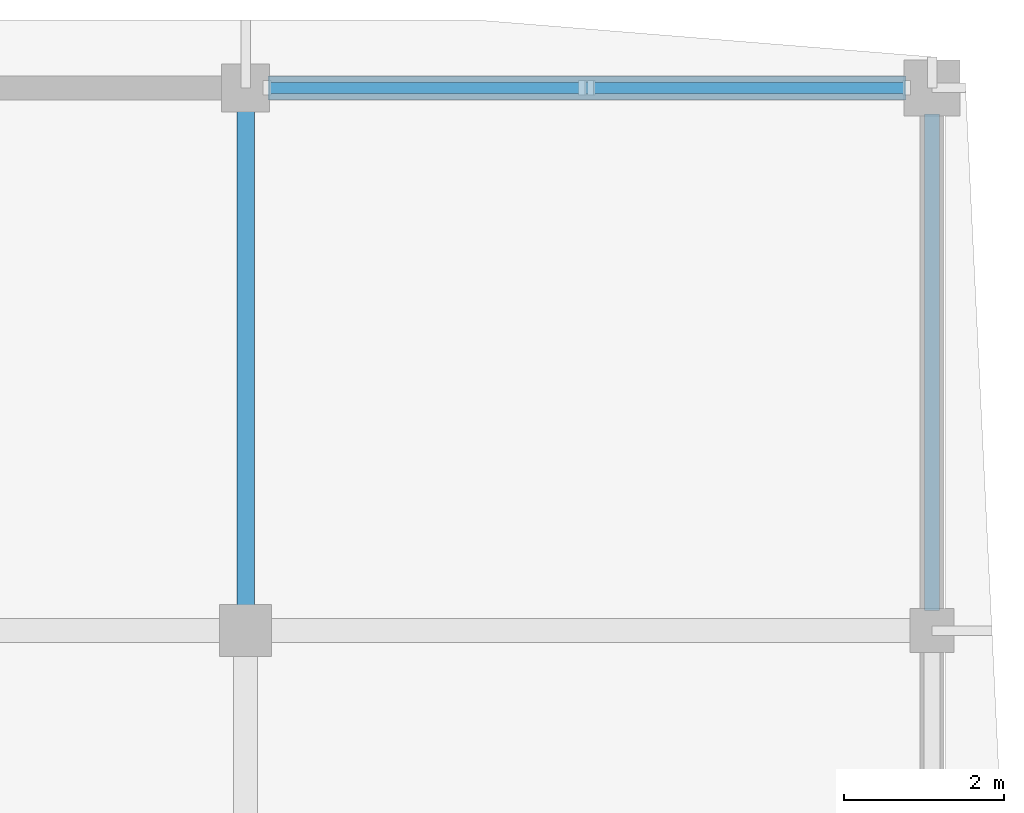
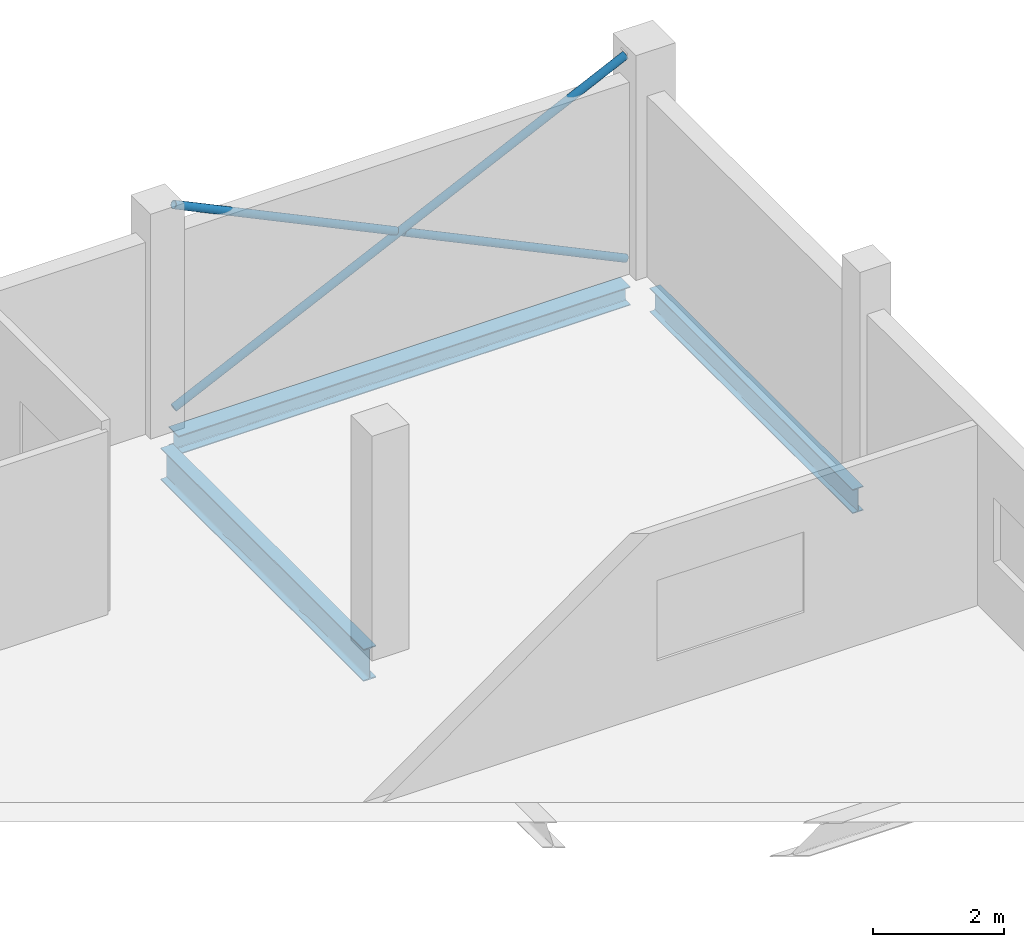
# One storey, part 72 of 121: 3 beams, 3 members.
"""IFC4 building model written with IfcOpenShell, lengths in metres."""

import ifcopenshell
import ifcopenshell.guid

model = None  # the IFC model being written
_history = None  # IfcOwnerHistory: only IFC2X3 demands one
_inside = {}  # id of a spatial element -> (the spatial element, [elements in it])
_under = {}  # id of a project, library or spatial element -> (it, [spatial elements below it])
_declared = {}  # id of a project -> (the project, [libraries it declares])
_typed = {}  # id of a type object -> (the type object, [elements of that type])
_made_of = {}  # id of a material, layer set ... -> (it, [elements and type objects made of it])


def new_model(schema):
    """Start an empty IFC model of exactly this schema.

    Asked for "IFC4X3", IfcOpenShell would pick the latest addendum, in which some entities
    have other attributes; the version numbers below select the first issue.
    IFC2X3 requires an IfcOwnerHistory on every rooted entity: one is made here for all.
    """
    global model, _history
    if schema == "IFC4X3":
        model = ifcopenshell.file(schema_version=(4, 3, 0, 0))
    else:
        model = ifcopenshell.file(schema=schema)
    _inside.clear()
    _under.clear()
    _declared.clear()
    _typed.clear()
    _made_of.clear()
    _history = None
    if model.schema == "IFC2X3":
        org = make("IfcOrganization", Name="unknown")
        user = make(
            "IfcPersonAndOrganization",
            ThePerson=make("IfcPerson", FamilyName="unknown"),
            TheOrganization=org,
        )
        app = make(
            "IfcApplication",
            ApplicationDeveloper=org,
            Version="unknown",
            ApplicationFullName="unknown",
            ApplicationIdentifier="unknown",
        )
        _history = make(
            "IfcOwnerHistory",
            OwningUser=user,
            OwningApplication=app,
            ChangeAction="ADDED",
            CreationDate=0,
        )
    return model


def make(cls, **values):
    """One entity of the class cls with the attributes given. An attribute that is None is left unset."""
    return model.create_entity(
        cls, **{name: value for name, value in values.items() if value is not None}
    )


def rooted(cls, **values):
    """An entity with a GlobalId (a new one), such as an element, a storey or a relation."""
    return make(cls, GlobalId=ifcopenshell.guid.new(), OwnerHistory=_history, **values)


def si_unit(unit_type, name, prefix=None):
    """IfcSIUnit, for example si_unit("LENGTHUNIT", "METRE", prefix="MILLI")."""
    return make("IfcSIUnit", UnitType=unit_type, Prefix=prefix, Name=name)


def assignment(units):
    """IfcUnitAssignment: the units of a project."""
    return None if units is None else make("IfcUnitAssignment", Units=units)


def point(xyz):
    """IfcCartesianPoint."""
    return None if xyz is None else make("IfcCartesianPoint", Coordinates=xyz)


def direction(xyz):
    """IfcDirection."""
    return None if xyz is None else make("IfcDirection", DirectionRatios=xyz)


def frame(location, z_axis=None, x_axis=None):
    """IfcAxis2Placement3D, a coordinate frame: its origin and axes. An axis left out is left unset."""
    return make(
        "IfcAxis2Placement3D",
        Location=point(location),
        Axis=direction(z_axis),
        RefDirection=direction(x_axis),
    )


def frame_2d(location, x_axis=None):
    """IfcAxis2Placement2D, a coordinate frame in the plane: its origin and x axis."""
    return make(
        "IfcAxis2Placement2D", Location=point(location), RefDirection=direction(x_axis)
    )


def origin():
    """The frame at (0, 0, 0) with its axes left unset."""
    return frame((0.0, 0.0, 0.0))


def origin_2d():
    """The frame at (0, 0) in the plane with its x axis left unset."""
    return frame_2d((0.0, 0.0))


def place(relative_to, where):
    """IfcLocalPlacement: puts the frame where relative to a parent placement (None: the world)."""
    return make(
        "IfcLocalPlacement", PlacementRelTo=relative_to, RelativePlacement=where
    )


def context(
    kind, dimensions, precision=None, world=None, true_north=None, identifier=None
):
    """IfcGeometricRepresentationContext, for example the 3D "Model" context."""
    return make(
        "IfcGeometricRepresentationContext",
        ContextIdentifier=identifier,
        ContextType=kind,
        CoordinateSpaceDimension=dimensions,
        Precision=precision,
        WorldCoordinateSystem=world,
        TrueNorth=true_north,
    )


def subcontext(parent, identifier, kind, view, scale=None):
    """IfcGeometricRepresentationSubContext, for example "Body" below "Model"."""
    return make(
        "IfcGeometricRepresentationSubContext",
        ContextIdentifier=identifier,
        ContextType=kind,
        ParentContext=parent,
        TargetScale=scale,
        TargetView=view,
    )


def project(units=None, contexts=None):
    """IfcProject with its units and contexts."""
    return rooted(
        "IfcProject",
        Name="project",
        RepresentationContexts=contexts,
        UnitsInContext=assignment(units),
    )


def spatial(cls, under=None, at=None, **own):
    """A site, building, storey or space (cls), placed at a placement, below another one or the project."""
    s = rooted(cls, ObjectPlacement=at, **own)
    if under is not None:
        _under.setdefault(under.id(), (under, []))[1].append(s)
    return s


def profile(cls, at=None, kind="AREA", **sizes):
    """A parametric profile (cls). Its sizes go by their IFC names, for example OverallWidth=200.0."""
    return make(cls, ProfileType=kind, Position=at, **sizes)


def hollow_circle(**sizes):
    """IfcCircleHollowProfileDef."""
    return profile("IfcCircleHollowProfileDef", **sizes)


def i_section(**sizes):
    """IfcIShapeProfileDef."""
    return profile("IfcIShapeProfileDef", **sizes)


def extrude(swept, where, along, depth):
    """IfcExtrudedAreaSolid: the profile swept, set in the frame where, extruded along a direction by depth."""
    return make(
        "IfcExtrudedAreaSolid",
        SweptArea=swept,
        Position=where,
        ExtrudedDirection=direction(along),
        Depth=depth,
    )


def shape(context_of_items, identifier, shape_type, items):
    """IfcShapeRepresentation: the items that make up one representation, for example the "Body"."""
    return make(
        "IfcShapeRepresentation",
        ContextOfItems=context_of_items,
        RepresentationIdentifier=identifier,
        RepresentationType=shape_type,
        Items=items,
    )


def material(Name=None, Category=None):
    """IfcMaterial."""
    return make("IfcMaterial", Name=Name, Category=Category)


def material_profile(
    of_material, cross_section, Name=None, Category=None, Priority=None
):
    """IfcMaterialProfile: a cross section and its material."""
    return make(
        "IfcMaterialProfile",
        Name=Name,
        Material=of_material,
        Profile=cross_section,
        Priority=Priority,
        Category=Category,
    )


def profile_set(profiles, Name=None, composite=None):
    """IfcMaterialProfileSet."""
    return make(
        "IfcMaterialProfileSet",
        Name=Name,
        MaterialProfiles=profiles,
        CompositeProfile=composite,
    )


def made_of(thing, what):
    """Note that an element or type object is made of a material, layer set ...; save() writes the relation."""
    if what is not None:
        _made_of.setdefault(what.id(), (what, []))[1].append(thing)
    return thing


def type_object(cls, material=None, **own):
    """A type object (cls), such as IfcWallType, which elements share."""
    return made_of(rooted(cls, **own), material)


def element(
    cls,
    number,
    at=None,
    inside=None,
    cuts=None,
    type_object=None,
    material=None,
    context=None,
    identifier="Body",
    shape_type=None,
    held_by="IfcProductDefinitionShape",
    body=None,
    shapes=None,
    **own,
):
    """One element of the class cls, such as IfcWall. Its Tag is "e" and its number.

    at: its placement. inside: the storey or other place that contains it. cuts: it is an
    opening in that element (IfcRelVoidsElement). A single representation is given by context,
    identifier, shape_type and body (its items); several are given by shapes. held_by: the class
    of the entity that holds the representations. save() writes the other relations.
    """
    e = rooted(cls, Tag="e%d" % number, ObjectPlacement=at, **own)
    if body is not None:
        shapes = [shape(context, identifier, shape_type, body)]
    if shapes is not None:
        e.Representation = make(held_by, Representations=shapes)
    if inside is not None:
        _inside.setdefault(inside.id(), (inside, []))[1].append(e)
    if cuts is not None:
        rooted(
            "IfcRelVoidsElement", RelatingBuildingElement=cuts, RelatedOpeningElement=e
        )
    if type_object is not None:
        _typed.setdefault(type_object.id(), (type_object, []))[1].append(e)
    return made_of(e, material)


def aggregate(whole, parts):
    """IfcRelAggregates: a whole, such as a stair, and the parts it consists of."""
    return rooted("IfcRelAggregates", RelatingObject=whole, RelatedObjects=parts)


def save(model, path):
    """Write the relations noted so far, then the file.

    IfcRelAggregates (storeys below a building ...), IfcRelContainedInSpatialStructure (elements
    in a storey), IfcRelDefinesByType, IfcRelAssociatesMaterial and IfcRelDeclares: one each for
    every whole, place, type object, material and project.
    """
    for whole, parts in _under.values():
        aggregate(whole, parts)
    for where, things in _inside.values():
        rooted(
            "IfcRelContainedInSpatialStructure",
            RelatedElements=things,
            RelatingStructure=where,
        )
    for kind, things in _typed.values():
        rooted("IfcRelDefinesByType", RelatedObjects=things, RelatingType=kind)
    for what, things in _made_of.values():
        rooted("IfcRelAssociatesMaterial", RelatedObjects=things, RelatingMaterial=what)
    for by, libraries in _declared.values():
        rooted("IfcRelDeclares", RelatingContext=by, RelatedDefinitions=libraries)
    model.write(path)


model = new_model("IFC4")

# Units and contexts
model_context = context("Model", 3, precision=1e-05, world=origin(), true_north=direction((0.0, 1.0)))
body_context = subcontext(model_context, "Body", "Model", "MODEL_VIEW")
ifc_project = project(units=[si_unit("LENGTHUNIT", "METRE"), si_unit("AREAUNIT", "SQUARE_METRE"), si_unit("VOLUMEUNIT", "CUBIC_METRE"), si_unit("PLANEANGLEUNIT", "RADIAN"), si_unit("MASSUNIT", "GRAM", prefix="KILO")], contexts=[model_context])

# Site, building, storey
site_placement = place(None, origin())
site = spatial("IfcSite", under=ifc_project, at=site_placement, CompositionType="ELEMENT")
building_placement = place(site_placement, origin())
building = spatial("IfcBuilding", under=site, at=building_placement, Name="Vinh Khe Railworks Police Headquarters", CompositionType="ELEMENT")
storey_placement = place(building_placement, frame((0.0, 0.0, 4.800048828125)))
storey = spatial("IfcBuildingStorey", under=building, at=storey_placement, Name="L01", CompositionType="ELEMENT", Elevation=4.800048828125)

# Members
ifc_material = material(Name="Steel S355JR", Category="steel")
ifc_material_profile_1 = material_profile(ifc_material, hollow_circle(Radius=0.06982421875, WallThickness=0.008056640625, at=origin_2d()), Name="CHS 139.7x8")
ifc_profile_set_1 = profile_set([ifc_material_profile_1], Name="Steel S355JR")
member_type = type_object("IfcMemberType", Name="Concentric Brace CHS 139.7x8", PredefinedType="BRACE", material=ifc_profile_set_1)
member_placement = place(storey_placement, frame((105.280029296875, 166.39990234375, 0.199951171875), z_axis=(0.903066986644, 0.0, 0.429499729493), x_axis=(0.0, 1.0, 0.0)))
element("IfcMember", 1, at=member_placement, inside=storey, type_object=member_type, Name="Continuous Concentric Brace MEM-BR-L01-BR-13-052", PredefinedType="BRACE", context=body_context, shape_type="SweptSolid", body=[
    extrude(hollow_circle(Radius=0.06982421875, WallThickness=0.008056640625, at=origin_2d()), origin(), (0.0, 0.0, 1.0), 8.84765625),
])
for number, where, z_axis, x_axis, name in (
    (2, (105.280029296875, 166.39990234375, 4.0), (0.903062657628, 0.0, -0.429508831571), (0.0, 1.0, 0.0), "Split X-Brace Segment MEM-BR-L01-BR-13-053 (2A)"),
    (3, (109.340576171875, 166.39990234375, 2.06884765625), (0.903062657628, 0.0, -0.429508831571), (0.0, 1.0, 0.0), "Split X-Brace Segment MEM-BR-L01-BR-13-054 (2B)"),
):
    element("IfcMember", number, at=place(storey_placement, frame(where, z_axis=z_axis, x_axis=x_axis)), inside=storey, type_object=member_type, Name=name, PredefinedType="BRACE", context=body_context, shape_type="SweptSolid", body=[
        extrude(hollow_circle(Radius=0.06982421875, WallThickness=0.008056640625, at=origin_2d()), origin(), (0.0, 0.0, 1.0), 4.351318359375),
    ])

# Beams
ifc_material_profile_2 = material_profile(ifc_material, i_section(OverallWidth=0.300048828125, OverallDepth=0.35009765625, WebThickness=0.010009765625, FlangeThickness=0.017578125, FilletRadius=0.027099609375, at=origin_2d()), Name="HEA 360")
ifc_profile_set_2 = profile_set([ifc_material_profile_2], Name="Steel S355JR")
beam_type_1 = type_object("IfcBeamType", Name="Steel Girder HEA 360", PredefinedType="BEAM", material=ifc_profile_set_2)
beam_1_placement = place(storey_placement, frame((105.280029296875, 166.39990234375, -0.4150390625), z_axis=(1.0, 0.0, 0.0), x_axis=(0.0, 1.0, 0.0)))
element("IfcBeam", 4, at=beam_1_placement, inside=storey, type_object=beam_type_1, Name="Girder BM-L01-EW-SB-15-0558", PredefinedType="BEAM", context=body_context, shape_type="SweptSolid", body=[
    extrude(i_section(OverallWidth=0.300048828125, OverallDepth=0.35009765625, WebThickness=0.010009765625, FlangeThickness=0.017578125, FilletRadius=0.027099609375, at=origin_2d()), origin(), (0.0, 0.0, 1.0), 7.989990234375),
])
ifc_material_profile_3 = material_profile(ifc_material, i_section(OverallWidth=0.18994140625, OverallDepth=0.449951171875, WebThickness=0.009521484375, FlangeThickness=0.0146484375, FilletRadius=0.02099609375, at=origin_2d()), Name="IPE 450")
ifc_profile_set_3 = profile_set([ifc_material_profile_3], Name="Steel S355JR")
beam_type_2 = type_object("IfcBeamType", Name="Steel Girder IPE 450", PredefinedType="BEAM", material=ifc_profile_set_3)
beam_2_placement = place(storey_placement, frame((113.60009765625, 159.85498046875, -0.465087890625), z_axis=(0.0, 1.0, 0.0), x_axis=(-1.0, 0.0, 0.0)))
element("IfcBeam", 5, at=beam_2_placement, inside=storey, type_object=beam_type_2, Name="Girder BM-L01-NS-SB-20-0714", PredefinedType="BEAM", context=body_context, shape_type="SweptSolid", body=[
    extrude(i_section(OverallWidth=0.18994140625, OverallDepth=0.449951171875, WebThickness=0.009521484375, FlangeThickness=0.0146484375, FilletRadius=0.02099609375, at=origin_2d()), origin(), (0.0, 0.0, 1.0), 6.215087890625),
])
ifc_material_profile_4 = material_profile(ifc_material, i_section(OverallWidth=0.219970703125, OverallDepth=0.60009765625, WebThickness=0.011962890625, FlangeThickness=0.01904296875, FilletRadius=0.02392578125, at=origin_2d()), Name="IPE 600")
ifc_profile_set_4 = profile_set([ifc_material_profile_4], Name="Steel S355JR")
beam_type_3 = type_object("IfcBeamType", Name="Steel Girder IPE 600", PredefinedType="BEAM", material=ifc_profile_set_4)
beam_3_placement = place(storey_placement, frame((105.0, 159.905029296875, -0.5400390625), z_axis=(0.0, 1.0, 0.0), x_axis=(-1.0, 0.0, 0.0)))
element("IfcBeam", 6, at=beam_3_placement, inside=storey, type_object=beam_type_3, Name="Girder BM-L01-NS-SB-17-0705", PredefinedType="BEAM", context=body_context, shape_type="SweptSolid", body=[
    extrude(i_section(OverallWidth=0.219970703125, OverallDepth=0.60009765625, WebThickness=0.011962890625, FlangeThickness=0.01904296875, FilletRadius=0.02392578125, at=origin_2d()), origin(), (0.0, 0.0, 1.0), 6.215087890625),
])

save(model, "model.ifc")
